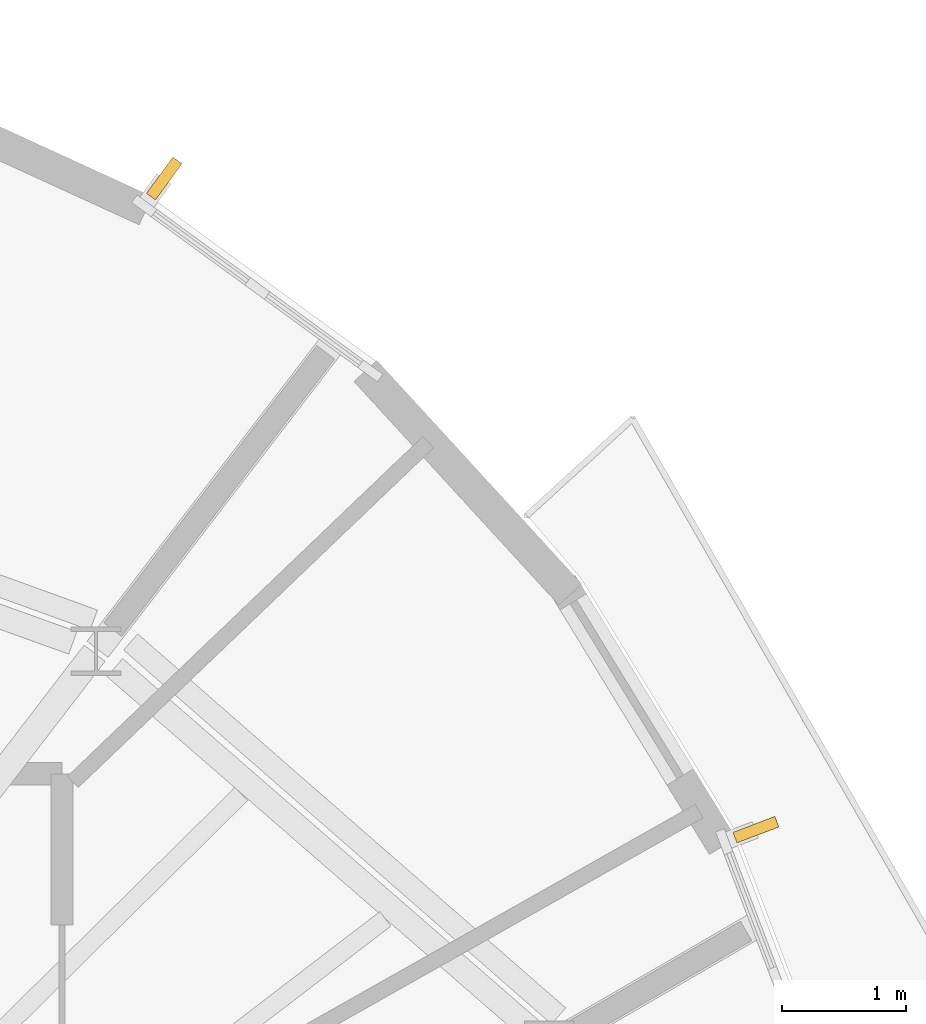
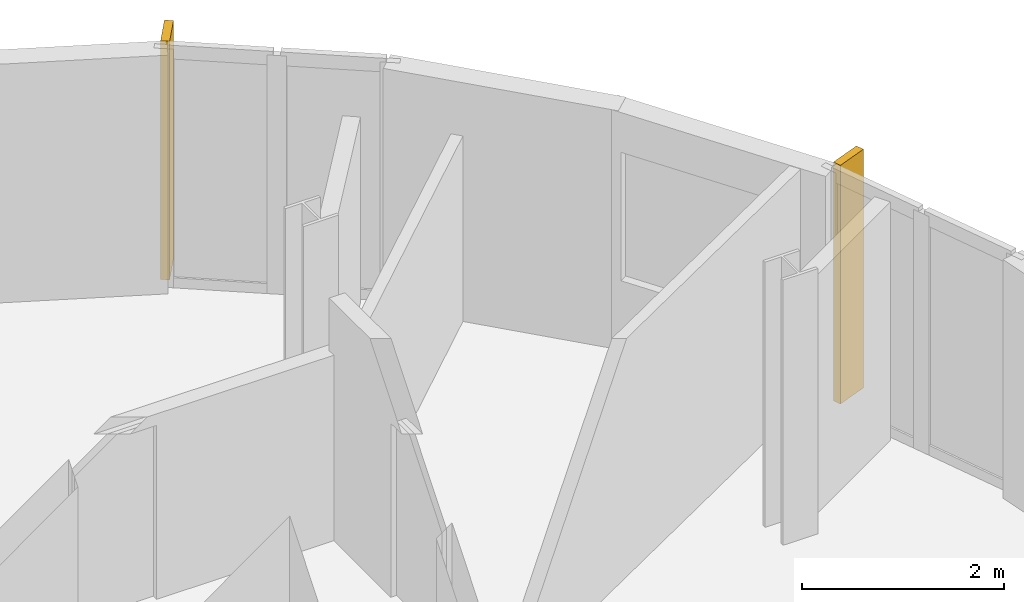
# One storey, part 11 of 11: 2 shading devices.
"""IFC4 building model written with IfcOpenShell, lengths in metres."""

import ifcopenshell
import ifcopenshell.guid

model = None  # the IFC model being written
_history = None  # IfcOwnerHistory: only IFC2X3 demands one
_inside = {}  # id of a spatial element -> (the spatial element, [elements in it])
_under = {}  # id of a project, library or spatial element -> (it, [spatial elements below it])
_declared = {}  # id of a project -> (the project, [libraries it declares])
_typed = {}  # id of a type object -> (the type object, [elements of that type])
_made_of = {}  # id of a material, layer set ... -> (it, [elements and type objects made of it])


def new_model(schema):
    """Start an empty IFC model of exactly this schema.

    Asked for "IFC4X3", IfcOpenShell would pick the latest addendum, in which some entities
    have other attributes; the version numbers below select the first issue.
    IFC2X3 requires an IfcOwnerHistory on every rooted entity: one is made here for all.
    """
    global model, _history
    if schema == "IFC4X3":
        model = ifcopenshell.file(schema_version=(4, 3, 0, 0))
    else:
        model = ifcopenshell.file(schema=schema)
    _inside.clear()
    _under.clear()
    _declared.clear()
    _typed.clear()
    _made_of.clear()
    _history = None
    if model.schema == "IFC2X3":
        org = make("IfcOrganization", Name="unknown")
        user = make(
            "IfcPersonAndOrganization",
            ThePerson=make("IfcPerson", FamilyName="unknown"),
            TheOrganization=org,
        )
        app = make(
            "IfcApplication",
            ApplicationDeveloper=org,
            Version="unknown",
            ApplicationFullName="unknown",
            ApplicationIdentifier="unknown",
        )
        _history = make(
            "IfcOwnerHistory",
            OwningUser=user,
            OwningApplication=app,
            ChangeAction="ADDED",
            CreationDate=0,
        )
    return model


def make(cls, **values):
    """One entity of the class cls with the attributes given. An attribute that is None is left unset."""
    return model.create_entity(
        cls, **{name: value for name, value in values.items() if value is not None}
    )


def rooted(cls, **values):
    """An entity with a GlobalId (a new one), such as an element, a storey or a relation."""
    return make(cls, GlobalId=ifcopenshell.guid.new(), OwnerHistory=_history, **values)


def si_unit(unit_type, name, prefix=None):
    """IfcSIUnit, for example si_unit("LENGTHUNIT", "METRE", prefix="MILLI")."""
    return make("IfcSIUnit", UnitType=unit_type, Prefix=prefix, Name=name)


def assignment(units):
    """IfcUnitAssignment: the units of a project."""
    return None if units is None else make("IfcUnitAssignment", Units=units)


def point(xyz):
    """IfcCartesianPoint."""
    return None if xyz is None else make("IfcCartesianPoint", Coordinates=xyz)


def direction(xyz):
    """IfcDirection."""
    return None if xyz is None else make("IfcDirection", DirectionRatios=xyz)


def frame(location, z_axis=None, x_axis=None):
    """IfcAxis2Placement3D, a coordinate frame: its origin and axes. An axis left out is left unset."""
    return make(
        "IfcAxis2Placement3D",
        Location=point(location),
        Axis=direction(z_axis),
        RefDirection=direction(x_axis),
    )


def frame_2d(location, x_axis=None):
    """IfcAxis2Placement2D, a coordinate frame in the plane: its origin and x axis."""
    return make(
        "IfcAxis2Placement2D", Location=point(location), RefDirection=direction(x_axis)
    )


def origin():
    """The frame at (0, 0, 0) with its axes left unset."""
    return frame((0.0, 0.0, 0.0))


def origin_2d():
    """The frame at (0, 0) in the plane with its x axis left unset."""
    return frame_2d((0.0, 0.0))


def place(relative_to, where):
    """IfcLocalPlacement: puts the frame where relative to a parent placement (None: the world)."""
    return make(
        "IfcLocalPlacement", PlacementRelTo=relative_to, RelativePlacement=where
    )


def context(
    kind, dimensions, precision=None, world=None, true_north=None, identifier=None
):
    """IfcGeometricRepresentationContext, for example the 3D "Model" context."""
    return make(
        "IfcGeometricRepresentationContext",
        ContextIdentifier=identifier,
        ContextType=kind,
        CoordinateSpaceDimension=dimensions,
        Precision=precision,
        WorldCoordinateSystem=world,
        TrueNorth=true_north,
    )


def subcontext(parent, identifier, kind, view, scale=None):
    """IfcGeometricRepresentationSubContext, for example "Body" below "Model"."""
    return make(
        "IfcGeometricRepresentationSubContext",
        ContextIdentifier=identifier,
        ContextType=kind,
        ParentContext=parent,
        TargetScale=scale,
        TargetView=view,
    )


def project(units=None, contexts=None):
    """IfcProject with its units and contexts."""
    return rooted(
        "IfcProject",
        Name="project",
        RepresentationContexts=contexts,
        UnitsInContext=assignment(units),
    )


def spatial(cls, under=None, at=None, **own):
    """A site, building, storey or space (cls), placed at a placement, below another one or the project."""
    s = rooted(cls, ObjectPlacement=at, **own)
    if under is not None:
        _under.setdefault(under.id(), (under, []))[1].append(s)
    return s


def profile(cls, at=None, kind="AREA", **sizes):
    """A parametric profile (cls). Its sizes go by their IFC names, for example OverallWidth=200.0."""
    return make(cls, ProfileType=kind, Position=at, **sizes)


def rectangle(**sizes):
    """IfcRectangleProfileDef."""
    return profile("IfcRectangleProfileDef", **sizes)


def extrude(swept, where, along, depth):
    """IfcExtrudedAreaSolid: the profile swept, set in the frame where, extruded along a direction by depth."""
    return make(
        "IfcExtrudedAreaSolid",
        SweptArea=swept,
        Position=where,
        ExtrudedDirection=direction(along),
        Depth=depth,
    )


def shape(context_of_items, identifier, shape_type, items):
    """IfcShapeRepresentation: the items that make up one representation, for example the "Body"."""
    return make(
        "IfcShapeRepresentation",
        ContextOfItems=context_of_items,
        RepresentationIdentifier=identifier,
        RepresentationType=shape_type,
        Items=items,
    )


def material(Name=None, Category=None):
    """IfcMaterial."""
    return make("IfcMaterial", Name=Name, Category=Category)


def layer(
    of_material, thickness, ventilated=None, Name=None, Category=None, Priority=None
):
    """IfcMaterialLayer: one layer of a wall or slab, of a material (None: an air gap)."""
    return make(
        "IfcMaterialLayer",
        Material=of_material,
        LayerThickness=thickness,
        IsVentilated=ventilated,
        Name=Name,
        Category=Category,
        Priority=Priority,
    )


def layer_set(layers, Name=None):
    """IfcMaterialLayerSet."""
    return make("IfcMaterialLayerSet", MaterialLayers=layers, LayerSetName=Name)


def made_of(thing, what):
    """Note that an element or type object is made of a material, layer set ...; save() writes the relation."""
    if what is not None:
        _made_of.setdefault(what.id(), (what, []))[1].append(thing)
    return thing


def type_object(cls, material=None, **own):
    """A type object (cls), such as IfcWallType, which elements share."""
    return made_of(rooted(cls, **own), material)


def element(
    cls,
    number,
    at=None,
    inside=None,
    cuts=None,
    type_object=None,
    material=None,
    context=None,
    identifier="Body",
    shape_type=None,
    held_by="IfcProductDefinitionShape",
    body=None,
    shapes=None,
    **own,
):
    """One element of the class cls, such as IfcWall. Its Tag is "e" and its number.

    at: its placement. inside: the storey or other place that contains it. cuts: it is an
    opening in that element (IfcRelVoidsElement). A single representation is given by context,
    identifier, shape_type and body (its items); several are given by shapes. held_by: the class
    of the entity that holds the representations. save() writes the other relations.
    """
    e = rooted(cls, Tag="e%d" % number, ObjectPlacement=at, **own)
    if body is not None:
        shapes = [shape(context, identifier, shape_type, body)]
    if shapes is not None:
        e.Representation = make(held_by, Representations=shapes)
    if inside is not None:
        _inside.setdefault(inside.id(), (inside, []))[1].append(e)
    if cuts is not None:
        rooted(
            "IfcRelVoidsElement", RelatingBuildingElement=cuts, RelatedOpeningElement=e
        )
    if type_object is not None:
        _typed.setdefault(type_object.id(), (type_object, []))[1].append(e)
    return made_of(e, material)


def aggregate(whole, parts):
    """IfcRelAggregates: a whole, such as a stair, and the parts it consists of."""
    return rooted("IfcRelAggregates", RelatingObject=whole, RelatedObjects=parts)


def save(model, path):
    """Write the relations noted so far, then the file.

    IfcRelAggregates (storeys below a building ...), IfcRelContainedInSpatialStructure (elements
    in a storey), IfcRelDefinesByType, IfcRelAssociatesMaterial and IfcRelDeclares: one each for
    every whole, place, type object, material and project.
    """
    for whole, parts in _under.values():
        aggregate(whole, parts)
    for where, things in _inside.values():
        rooted(
            "IfcRelContainedInSpatialStructure",
            RelatedElements=things,
            RelatingStructure=where,
        )
    for kind, things in _typed.values():
        rooted("IfcRelDefinesByType", RelatedObjects=things, RelatingType=kind)
    for what, things in _made_of.values():
        rooted("IfcRelAssociatesMaterial", RelatedObjects=things, RelatingMaterial=what)
    for by, libraries in _declared.values():
        rooted("IfcRelDeclares", RelatingContext=by, RelatedDefinitions=libraries)
    model.write(path)


model = new_model("IFC4")

# Units and contexts
model_context = context("Model", 3, precision=1e-05, world=origin(), true_north=direction((0.0, 1.0)))
body_context = subcontext(model_context, "Body", "Model", "MODEL_VIEW")
ifc_project = project(units=[si_unit("LENGTHUNIT", "METRE"), si_unit("AREAUNIT", "SQUARE_METRE"), si_unit("VOLUMEUNIT", "CUBIC_METRE"), si_unit("PLANEANGLEUNIT", "RADIAN"), si_unit("MASSUNIT", "GRAM", prefix="KILO")], contexts=[model_context])

# Site, building, storey
site_placement = place(None, origin())
site = spatial("IfcSite", under=ifc_project, at=site_placement, CompositionType="ELEMENT")
building_placement = place(site_placement, origin())
building = spatial("IfcBuilding", under=site, at=building_placement, Name="Veldorim Arch Residences", CompositionType="ELEMENT")
storey_placement = place(building_placement, frame((0.0, 0.0, 239.840087890625)))
storey = spatial("IfcBuildingStorey", under=building, at=storey_placement, Name="L72", CompositionType="ELEMENT", Elevation=239.840087890625)

# Shading devices
ifc_material = material(Name="Terracotta Ceramic", Category="masonry")
ifc_layer = layer(ifc_material, 0.090087890625, Name="Vertical Extruded Terracotta Baguette Sun-Shading Fin")
ifc_layer_set = layer_set([ifc_layer], Name="Terracotta Ceramic")
shading_device_type = type_object("IfcShadingDeviceType", Name="Vertical Extruded Terracotta Baguette Sun-Shading Fin", PredefinedType="USERDEFINED", material=ifc_layer_set)
for number, where, z_axis, x_axis, name in (
    (1, (44.636474609375, 32.111572265625, 0.0), (0.0, 0.0, 1.0), (0.354943799141, -0.934887640014, 0.0), "L72 vertical terracotta sun-shading fin 33"),
    (2, (39.881103515625, 37.344482421875, 0.0), (0.0, 0.0, 1.0), (0.807887037428, -0.589337369217, 0.0), "L72 vertical terracotta sun-shading fin 36"),
):
    element("IfcShadingDevice", number, at=place(storey_placement, frame(where, z_axis=z_axis, x_axis=x_axis)), inside=storey, type_object=shading_device_type, Name=name, ObjectType="FIN", PredefinedType="USERDEFINED", context=body_context, shape_type="SweptSolid", body=[
        extrude(rectangle(XDim=0.090087890625, YDim=0.360107421875, at=origin_2d()), origin(), (0.0, 0.0, 1.0), 2.8798828125),
    ])

save(model, "model.ifc")
